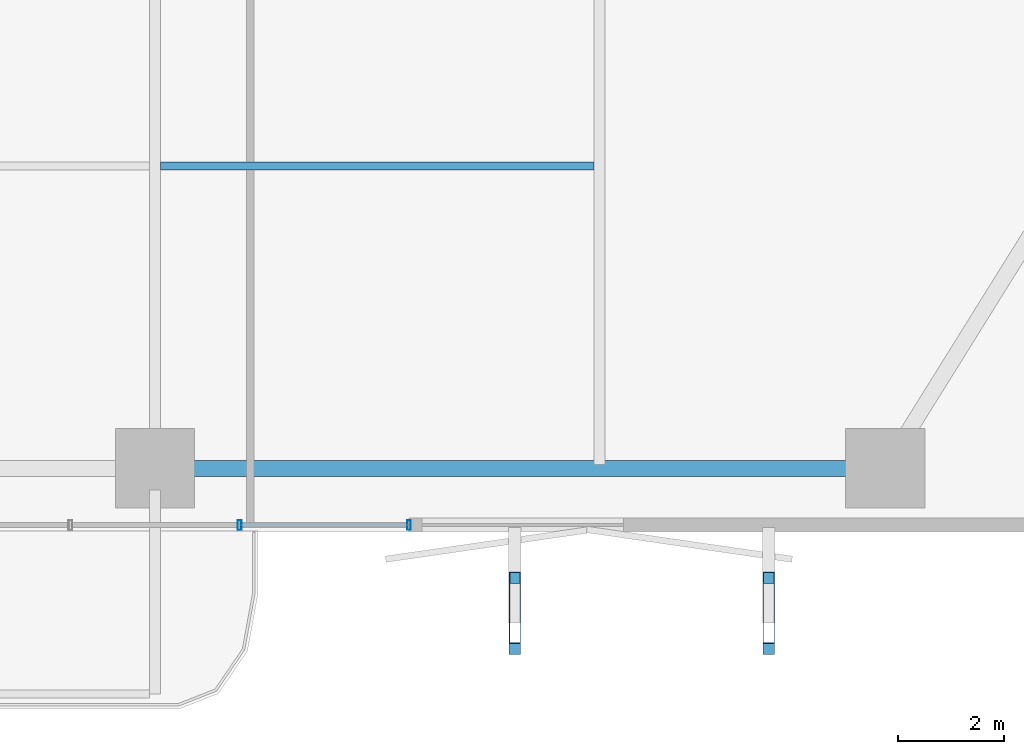
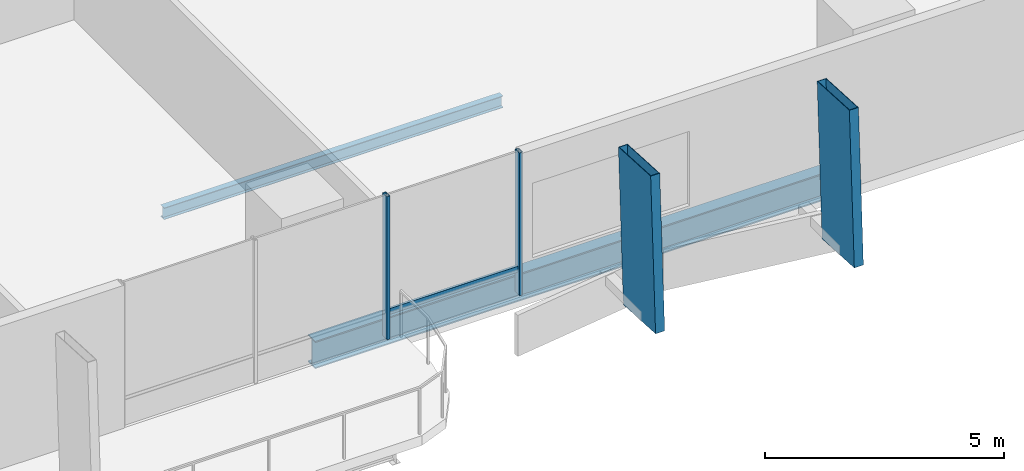
# One storey, part 6 of 23: 5 members, 2 beams, 1 element without a shape of its own.
"""IFC4 building model written with IfcOpenShell, lengths in metres."""

from ifc_helpers import new_model, si_unit, direction, frame, origin, origin_2d, place, context, subcontext, project, spatial, hollow_rectangle, i_section, extrude, material, layer, layer_set, material_profile, profile_set, type_object, element, aggregate, save


model = new_model("IFC4")

# Units and contexts
model_context = context("Model", 3, precision=1e-05, world=origin(), true_north=direction((0.0, 1.0)))
body_context = subcontext(model_context, "Body", "Model", "MODEL_VIEW")
ifc_project = project(units=[si_unit("LENGTHUNIT", "METRE"), si_unit("AREAUNIT", "SQUARE_METRE"), si_unit("VOLUMEUNIT", "CUBIC_METRE"), si_unit("PLANEANGLEUNIT", "RADIAN"), si_unit("MASSUNIT", "GRAM", prefix="KILO")], contexts=[model_context])

# Site, building, storey
site_placement = place(None, origin())
site = spatial("IfcSite", under=ifc_project, at=site_placement, CompositionType="ELEMENT")
building_placement = place(site_placement, origin())
building = spatial("IfcBuilding", under=site, at=building_placement, Name="Belovzor Exchange Tower", CompositionType="ELEMENT")
storey_placement = place(building_placement, frame((0.0, 0.0, 65.10009765625)))
storey = spatial("IfcBuildingStorey", under=building, at=storey_placement, Name="L15", CompositionType="ELEMENT", Elevation=65.10009765625)

# Members
ifc_material_1 = material(Name="Extruded Architectural Terracotta on Steel S355 Carrier", Category="masonry")
ifc_material_profile_1 = material_profile(ifc_material_1, hollow_rectangle(XDim=0.219970703125, YDim=1.35009765625, WallThickness=0.013916015625, at=origin_2d()))
ifc_profile_set_1 = profile_set([ifc_material_profile_1], Name="Extruded Architectural Terracotta on Steel S355 Carrier")
member_type_1 = type_object("IfcMemberType", Name="Base Arc Sweeping Terracotta Pylon Fin 1450", PredefinedType="USERDEFINED", material=ifc_profile_set_1)
for number, where, z_axis, x_axis, name in (
    (1, (35.60009765625, -0.739013671875, -0.25), (0.0, 0.053011620344, 0.998593895489), (-1.0, 0.0, 0.0), "FIN-TC145 Terracotta Facade Fin L15 S3"),
    (2, (40.39990234375, -0.739013671875, -0.25), (0.0, 0.053011620344, 0.998593895489), (-1.0, 0.0, 0.0), "FIN-TC145 Terracotta Facade Fin L15 S4"),
):
    element("IfcMember", number, at=place(storey_placement, frame(where, z_axis=z_axis, x_axis=x_axis)), inside=storey, type_object=member_type_1, Name=name, ObjectType="FIN", PredefinedType="USERDEFINED", context=body_context, shape_type="SweptSolid", body=[
        extrude(hollow_rectangle(XDim=0.219970703125, YDim=1.35009765625, WallThickness=0.013916015625, at=origin_2d()), origin(), (0.0, 0.0, 1.0), 3.9052734375),
    ])

# Beam
ifc_material_2 = material(Name="Steel S355", Category="steel")
ifc_material_profile_2 = material_profile(ifc_material_2, i_section(OverallWidth=0.14990234375, OverallDepth=0.300048828125, WebThickness=0.007080078125, FlangeThickness=0.0107421875, at=origin_2d()))
ifc_profile_set_2 = profile_set([ifc_material_profile_2], Name="Steel S355")
beam_type_1 = type_object("IfcBeamType", Name="Secondary Trim Floor Joist IPE 300", PredefinedType="BEAM", material=ifc_profile_set_2)
beam_1_placement = place(storey_placement, frame((28.905029296875, 7.81494140625, -0.400146484375), z_axis=(1.0, 0.0, 0.0), x_axis=(0.0, 1.0, 0.0)))
element("IfcBeam", 3, at=beam_1_placement, inside=storey, type_object=beam_type_1, Name="FJ-300 Secondary Trim Floor Joist IPE 300", PredefinedType="BEAM", context=body_context, shape_type="SweptSolid", body=[
    extrude(i_section(OverallWidth=0.14990234375, OverallDepth=0.300048828125, WebThickness=0.007080078125, FlangeThickness=0.0107421875, at=origin_2d()), origin(), (0.0, 0.0, 1.0), 8.18994140625),
])

# Curtain wall, members
ifc_material_3 = material(Name="Anodised Aluminium Framing", Category="aluminium")
ifc_layer = layer(ifc_material_3, 0.179931640625)
ifc_layer_set = layer_set([ifc_layer], Name="Anodised Aluminium Framing")
curtain_wall_type = type_object("IfcCurtainWallType", Name="Recessed Loggia Low-Iron Triple-Glazed Curtain Wall", PredefinedType="NOTDEFINED", material=ifc_layer_set)
curtain_wall_placement = place(storey_placement, origin())
curtain_wall = element("IfcCurtainWall", 4, at=curtain_wall_placement, inside=storey, type_object=curtain_wall_type, Name="CW3 Recessed Loggia Low-Iron Triple-Glazed Curtain Wall L15", PredefinedType="NOTDEFINED")
ifc_material_4 = material(Name="Steel S355", Category="steel")
ifc_material_profile_3 = material_profile(ifc_material_4, hollow_rectangle(XDim=0.074951171875, YDim=0.179931640625, WallThickness=0.0048828125, at=origin_2d()))
ifc_profile_set_3 = profile_set([ifc_material_profile_3], Name="Steel S355")
member_type_2 = type_object("IfcMemberType", Name="Thermally Broken Curtain Wall Mullion 180x75", PredefinedType="MULLION", material=ifc_profile_set_3)
member_1_placement = place(storey_placement, frame((33.60009765625, 1.030029296875, 0.0), z_axis=(0.0, 0.0, 1.0), x_axis=(-1.0, 0.0, 0.0)))
member_1 = element("IfcMember", 5, at=member_1_placement, type_object=member_type_2, Name="CW-M180 Curtain Wall Mullion 1", PredefinedType="MULLION", context=body_context, shape_type="SweptSolid", body=[
    extrude(hollow_rectangle(XDim=0.074951171875, YDim=0.179931640625, WallThickness=0.0048828125, at=origin_2d()), origin(), (0.0, 0.0, 1.0), 3.64990234375),
])
member_2_placement = place(storey_placement, frame((30.39990234375, 1.030029296875, 0.0), z_axis=(0.0, 0.0, 1.0), x_axis=(-1.0, 0.0, 0.0)))
member_2 = element("IfcMember", 6, at=member_2_placement, type_object=member_type_2, Name="CW-M180 Curtain Wall Mullion 2", PredefinedType="MULLION", context=body_context, shape_type="SweptSolid", body=[
    extrude(hollow_rectangle(XDim=0.074951171875, YDim=0.179931640625, WallThickness=0.0048828125, at=origin_2d()), origin(), (0.0, 0.0, 1.0), 3.64990234375),
])
ifc_material_5 = material(Name="Steel S355", Category="steel")
ifc_material_profile_4 = material_profile(ifc_material_5, hollow_rectangle(XDim=0.06005859375, YDim=0.14990234375, WallThickness=0.00390625, at=origin_2d()))
ifc_profile_set_4 = profile_set([ifc_material_profile_4], Name="Steel S355")
member_type_3 = type_object("IfcMemberType", Name="Thermally Broken Curtain Wall Transom 150x60", PredefinedType="USERDEFINED", material=ifc_profile_set_4)
member_3_placement = place(storey_placement, frame((33.592041015625, 1.030029296875, 0.64990234375), z_axis=(-1.0, 0.0, 0.0), x_axis=(0.0, -1.0, 0.0)))
member_3 = element("IfcMember", 7, at=member_3_placement, type_object=member_type_3, Name="CW-T150 Curtain Wall Transom 1", ObjectType="TRANSOM", PredefinedType="USERDEFINED", context=body_context, shape_type="SweptSolid", body=[
    extrude(hollow_rectangle(XDim=0.06005859375, YDim=0.14990234375, WallThickness=0.00390625, at=origin_2d()), origin(), (0.0, 0.0, 1.0), 3.18408203125),
])
aggregate(curtain_wall, [member_1, member_2, member_3])

# Beam
ifc_material_6 = material(Name="Steel S355", Category="steel")
ifc_material_profile_5 = material_profile(ifc_material_6, i_section(OverallWidth=0.300048828125, OverallDepth=0.699951171875, WebThickness=0.01708984375, FlangeThickness=0.031982421875, at=origin_2d()))
ifc_profile_set_5 = profile_set([ifc_material_profile_5], Name="Steel S355")
beam_type_2 = type_object("IfcBeamType", Name="Zone 1 Primary Perimeter Girder HEB 700", PredefinedType="BEAM", material=ifc_profile_set_5)
beam_2_placement = place(storey_placement, frame((29.212890625, 2.10009765625, -0.60009765625), z_axis=(1.0, 0.0, 0.0), x_axis=(0.0, 1.0, 0.0)))
element("IfcBeam", 8, at=beam_2_placement, inside=storey, type_object=beam_type_2, Name="FG-Z1 Zone 1 Primary Perimeter Girder HEB 700", PredefinedType="BEAM", context=body_context, shape_type="SweptSolid", body=[
    extrude(i_section(OverallWidth=0.300048828125, OverallDepth=0.699951171875, WebThickness=0.01708984375, FlangeThickness=0.031982421875, at=origin_2d()), origin(), (0.0, 0.0, 1.0), 12.97509765625),
])

save(model, "model.ifc")
